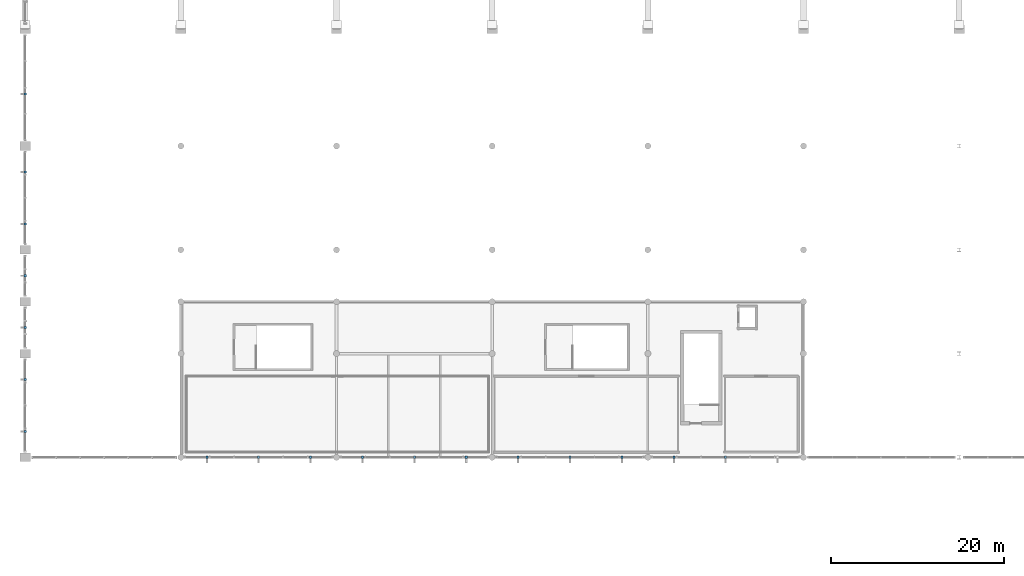
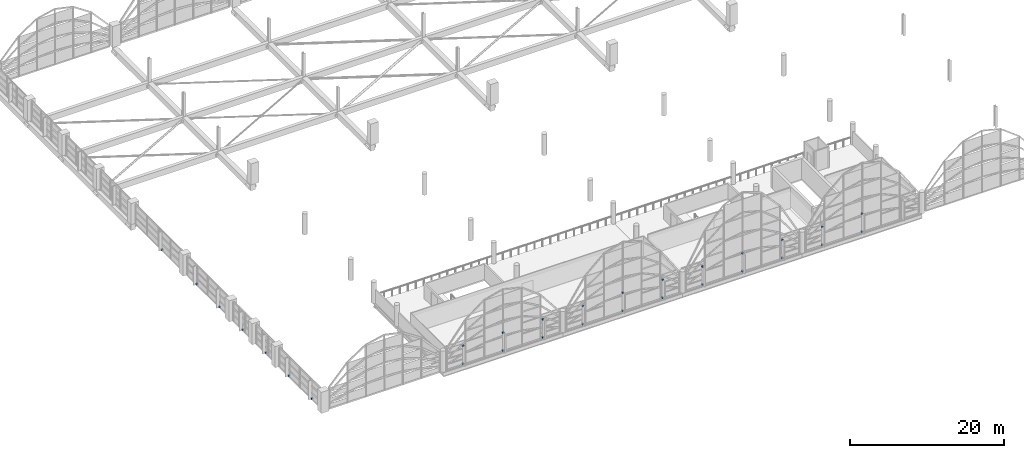
# One storey, part 105 of 116: 29 discrete accessories.
"""IFC4 building model written with IfcOpenShell, lengths in metres."""

from ifc_helpers import new_model, si_unit, direction, frame, origin, origin_2d, place, context, subcontext, project, spatial, rectangle, extrude, material, type_object, element, save


model = new_model("IFC4")

# Units and contexts
model_context = context("Model", 3, precision=1e-05, world=origin(), true_north=direction((0.0, 1.0)))
body_context = subcontext(model_context, "Body", "Model", "MODEL_VIEW")
ifc_project = project(units=[si_unit("LENGTHUNIT", "METRE"), si_unit("AREAUNIT", "SQUARE_METRE"), si_unit("VOLUMEUNIT", "CUBIC_METRE"), si_unit("PLANEANGLEUNIT", "RADIAN"), si_unit("MASSUNIT", "GRAM", prefix="KILO")], contexts=[model_context])

# Site, building, storey
site_placement = place(None, origin())
site = spatial("IfcSite", under=ifc_project, at=site_placement, CompositionType="ELEMENT")
building_placement = place(site_placement, origin())
building = spatial("IfcBuilding", under=site, at=building_placement, Name="Chuanluo Vaults Station", CompositionType="ELEMENT")
storey_placement = place(building_placement, frame((0.0, 0.0, 10.800048828125)))
storey = spatial("IfcBuildingStorey", under=building, at=storey_placement, Name="L02", CompositionType="ELEMENT", Elevation=10.800048828125)

# Discrete accessories
ifc_material = material(Name="Steel Q355C", Category="steel")
discrete_accessory_type = type_object("IfcDiscreteAccessoryType", Name="ACC-BRK-FIN", PredefinedType="BRACKET", material=ifc_material)
for number, where, z_axis, x_axis, name in (
    (1, (21.0, 18.0, -0.01025390625), (0.0, 0.0, 1.0), (1.0, 0.0, 0.0), "Brise-soleil steel bracket 01B"),
    (2, (21.0, 18.0, 2.83984375), (0.0, 0.0, 1.0), (1.0, 0.0, 0.0), "Brise-soleil steel bracket 01T"),
    (3, (27.0, 18.0, -0.01025390625), (0.0, 0.0, 1.0), (1.0, 0.0, 0.0), "Brise-soleil steel bracket 02B"),
    (4, (27.0, 18.0, 2.83984375), (0.0, 0.0, 1.0), (1.0, 0.0, 0.0), "Brise-soleil steel bracket 02T"),
    (5, (33.0, 18.0, -0.01025390625), (0.0, 0.0, 1.0), (1.0, 0.0, 0.0), "Brise-soleil steel bracket 03B"),
    (6, (33.0, 18.0, 2.83984375), (0.0, 0.0, 1.0), (1.0, 0.0, 0.0), "Brise-soleil steel bracket 03T"),
    (7, (39.0, 18.0, -0.01025390625), (0.0, 0.0, 1.0), (1.0, 0.0, 0.0), "Brise-soleil steel bracket 04B"),
    (8, (39.0, 18.0, 2.83984375), (0.0, 0.0, 1.0), (1.0, 0.0, 0.0), "Brise-soleil steel bracket 04T"),
    (9, (45.0, 18.0, -0.01025390625), (0.0, 0.0, 1.0), (1.0, 0.0, 0.0), "Brise-soleil steel bracket 05B"),
    (10, (45.0, 18.0, 2.83984375), (0.0, 0.0, 1.0), (1.0, 0.0, 0.0), "Brise-soleil steel bracket 05T"),
    (11, (51.0, 18.0, -0.01025390625), (0.0, 0.0, 1.0), (1.0, 0.0, 0.0), "Brise-soleil steel bracket 06B"),
    (12, (51.0, 18.0, 2.83984375), (0.0, 0.0, 1.0), (1.0, 0.0, 0.0), "Brise-soleil steel bracket 06T"),
    (13, (57.0, 18.0, -0.01025390625), (0.0, 0.0, 1.0), (1.0, 0.0, 0.0), "Brise-soleil steel bracket 07B"),
    (14, (57.0, 18.0, 2.83984375), (0.0, 0.0, 1.0), (1.0, 0.0, 0.0), "Brise-soleil steel bracket 07T"),
    (15, (63.0, 18.0, -0.01025390625), (0.0, 0.0, 1.0), (1.0, 0.0, 0.0), "Brise-soleil steel bracket 08B"),
    (16, (63.0, 18.0, 2.83984375), (0.0, 0.0, 1.0), (1.0, 0.0, 0.0), "Brise-soleil steel bracket 08T"),
    (17, (69.0, 18.0, -0.01025390625), (0.0, 0.0, 1.0), (1.0, 0.0, 0.0), "Brise-soleil steel bracket 09B"),
    (18, (69.0, 18.0, 2.83984375), (0.0, 0.0, 1.0), (1.0, 0.0, 0.0), "Brise-soleil steel bracket 09T"),
    (19, (75.0, 18.0, -0.01025390625), (0.0, 0.0, 1.0), (1.0, 0.0, 0.0), "Brise-soleil steel bracket 10B"),
    (20, (75.0, 18.0, 2.83984375), (0.0, 0.0, 1.0), (1.0, 0.0, 0.0), "Brise-soleil steel bracket 10T"),
    (21, (81.0, 18.0, -0.01025390625), (0.0, 0.0, 1.0), (1.0, 0.0, 0.0), "Brise-soleil steel bracket 11B"),
    (22, (81.0, 18.0, 2.83984375), (0.0, 0.0, 1.0), (1.0, 0.0, 0.0), "Brise-soleil steel bracket 11T"),
):
    element("IfcDiscreteAccessory", number, at=place(storey_placement, frame(where, z_axis=z_axis, x_axis=x_axis)), inside=storey, type_object=discrete_accessory_type, Name=name, PredefinedType="BRACKET", context=body_context, shape_type="SweptSolid", body=[
        extrude(rectangle(XDim=0.239990234375, YDim=0.300048828125, at=origin_2d()), origin(), (0.0, 0.0, 1.0), 0.219970703125),
    ])
for number, where, z_axis, x_axis, name in (
    (23, (0.0, 21.0, -0.01025390625), (0.0, 0.0, 1.0), (1.0, 0.0, 0.0), "West solar fin bracket 13"),
    (24, (0.0, 27.0, -0.01025390625), (0.0, 0.0, 1.0), (1.0, 0.0, 0.0), "West solar fin bracket 14"),
    (25, (0.0, 33.0, -0.01025390625), (0.0, 0.0, 1.0), (1.0, 0.0, 0.0), "West solar fin bracket 15"),
    (26, (0.0, 39.0, -0.01025390625), (0.0, 0.0, 1.0), (1.0, 0.0, 0.0), "West solar fin bracket 16"),
    (27, (0.0, 45.0, -0.01025390625), (0.0, 0.0, 1.0), (1.0, 0.0, 0.0), "West solar fin bracket 17"),
    (28, (0.0, 51.0, -0.01025390625), (0.0, 0.0, 1.0), (1.0, 0.0, 0.0), "West solar fin bracket 18"),
    (29, (0.0, 60.0, -0.01025390625), (0.0, 0.0, 1.0), (1.0, 0.0, 0.0), "West solar fin bracket 19"),
):
    element("IfcDiscreteAccessory", number, at=place(storey_placement, frame(where, z_axis=z_axis, x_axis=x_axis)), inside=storey, type_object=discrete_accessory_type, Name=name, PredefinedType="BRACKET", context=body_context, shape_type="SweptSolid", body=[
        extrude(rectangle(XDim=0.300048828125, YDim=0.239990234375, at=origin_2d()), origin(), (0.0, 0.0, 1.0), 0.219970703125),
    ])

save(model, "model.ifc")
